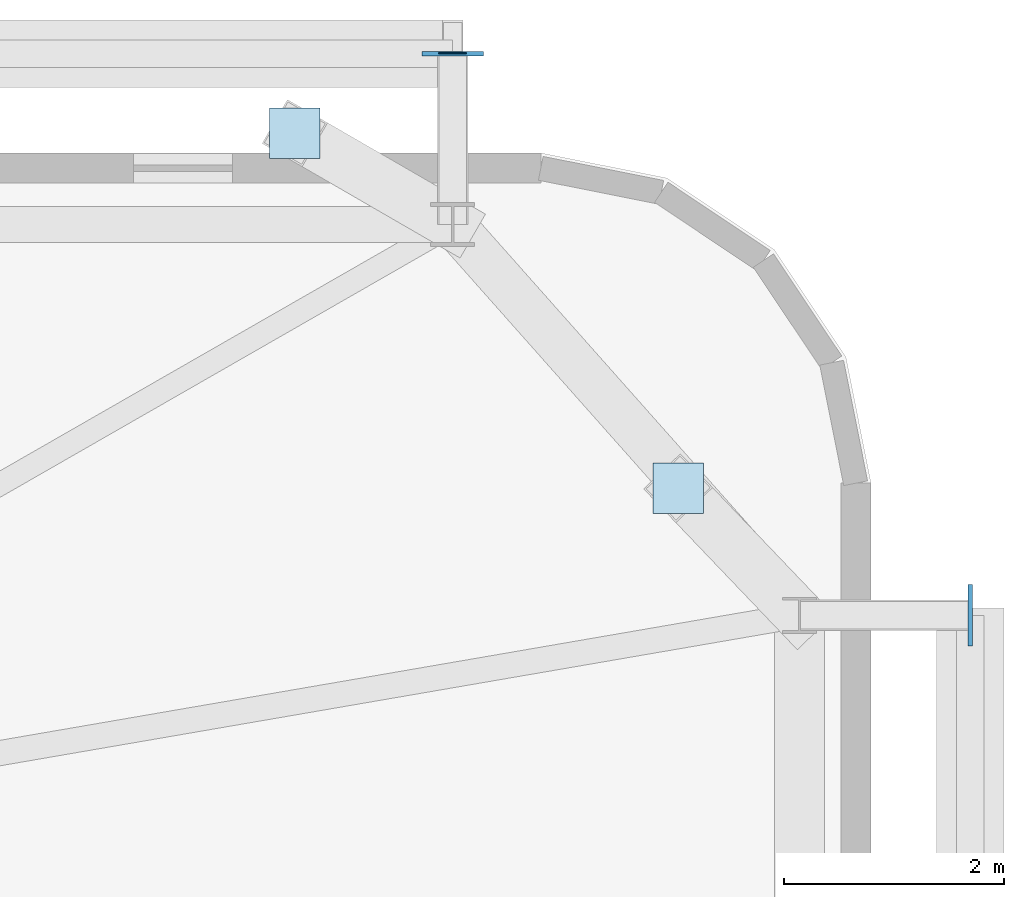
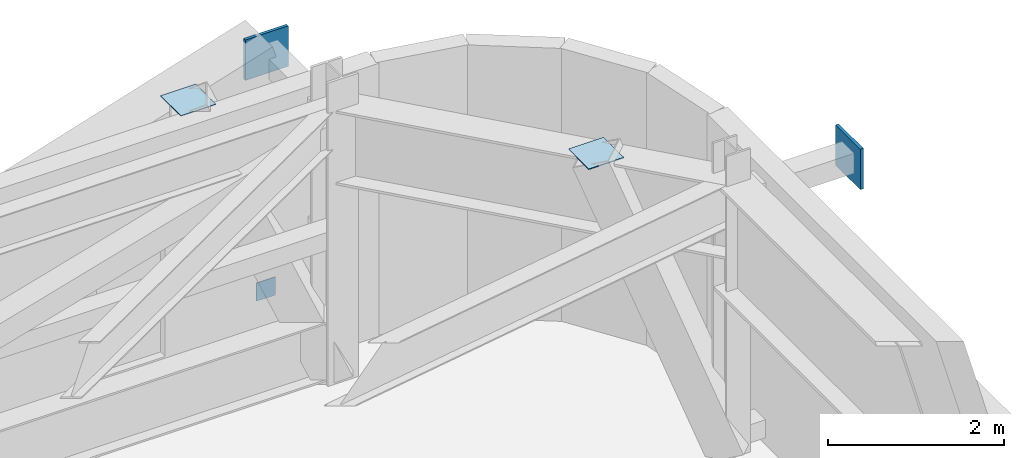
# One storey, part 20 of 24: 5 plates.
"""IFC4 building model written with IfcOpenShell, lengths in metres."""

import ifcopenshell
import ifcopenshell.guid

model = None  # the IFC model being written
_history = None  # IfcOwnerHistory: only IFC2X3 demands one
_inside = {}  # id of a spatial element -> (the spatial element, [elements in it])
_under = {}  # id of a project, library or spatial element -> (it, [spatial elements below it])
_declared = {}  # id of a project -> (the project, [libraries it declares])
_typed = {}  # id of a type object -> (the type object, [elements of that type])
_made_of = {}  # id of a material, layer set ... -> (it, [elements and type objects made of it])


def new_model(schema):
    """Start an empty IFC model of exactly this schema.

    Asked for "IFC4X3", IfcOpenShell would pick the latest addendum, in which some entities
    have other attributes; the version numbers below select the first issue.
    IFC2X3 requires an IfcOwnerHistory on every rooted entity: one is made here for all.
    """
    global model, _history
    if schema == "IFC4X3":
        model = ifcopenshell.file(schema_version=(4, 3, 0, 0))
    else:
        model = ifcopenshell.file(schema=schema)
    _inside.clear()
    _under.clear()
    _declared.clear()
    _typed.clear()
    _made_of.clear()
    _history = None
    if model.schema == "IFC2X3":
        org = make("IfcOrganization", Name="unknown")
        user = make(
            "IfcPersonAndOrganization",
            ThePerson=make("IfcPerson", FamilyName="unknown"),
            TheOrganization=org,
        )
        app = make(
            "IfcApplication",
            ApplicationDeveloper=org,
            Version="unknown",
            ApplicationFullName="unknown",
            ApplicationIdentifier="unknown",
        )
        _history = make(
            "IfcOwnerHistory",
            OwningUser=user,
            OwningApplication=app,
            ChangeAction="ADDED",
            CreationDate=0,
        )
    return model


def make(cls, **values):
    """One entity of the class cls with the attributes given. An attribute that is None is left unset."""
    return model.create_entity(
        cls, **{name: value for name, value in values.items() if value is not None}
    )


def rooted(cls, **values):
    """An entity with a GlobalId (a new one), such as an element, a storey or a relation."""
    return make(cls, GlobalId=ifcopenshell.guid.new(), OwnerHistory=_history, **values)


def si_unit(unit_type, name, prefix=None):
    """IfcSIUnit, for example si_unit("LENGTHUNIT", "METRE", prefix="MILLI")."""
    return make("IfcSIUnit", UnitType=unit_type, Prefix=prefix, Name=name)


def assignment(units):
    """IfcUnitAssignment: the units of a project."""
    return None if units is None else make("IfcUnitAssignment", Units=units)


def point(xyz):
    """IfcCartesianPoint."""
    return None if xyz is None else make("IfcCartesianPoint", Coordinates=xyz)


def direction(xyz):
    """IfcDirection."""
    return None if xyz is None else make("IfcDirection", DirectionRatios=xyz)


def frame(location, z_axis=None, x_axis=None):
    """IfcAxis2Placement3D, a coordinate frame: its origin and axes. An axis left out is left unset."""
    return make(
        "IfcAxis2Placement3D",
        Location=point(location),
        Axis=direction(z_axis),
        RefDirection=direction(x_axis),
    )


def frame_2d(location, x_axis=None):
    """IfcAxis2Placement2D, a coordinate frame in the plane: its origin and x axis."""
    return make(
        "IfcAxis2Placement2D", Location=point(location), RefDirection=direction(x_axis)
    )


def origin():
    """The frame at (0, 0, 0) with its axes left unset."""
    return frame((0.0, 0.0, 0.0))


def origin_2d():
    """The frame at (0, 0) in the plane with its x axis left unset."""
    return frame_2d((0.0, 0.0))


def place(relative_to, where):
    """IfcLocalPlacement: puts the frame where relative to a parent placement (None: the world)."""
    return make(
        "IfcLocalPlacement", PlacementRelTo=relative_to, RelativePlacement=where
    )


def context(
    kind, dimensions, precision=None, world=None, true_north=None, identifier=None
):
    """IfcGeometricRepresentationContext, for example the 3D "Model" context."""
    return make(
        "IfcGeometricRepresentationContext",
        ContextIdentifier=identifier,
        ContextType=kind,
        CoordinateSpaceDimension=dimensions,
        Precision=precision,
        WorldCoordinateSystem=world,
        TrueNorth=true_north,
    )


def subcontext(parent, identifier, kind, view, scale=None):
    """IfcGeometricRepresentationSubContext, for example "Body" below "Model"."""
    return make(
        "IfcGeometricRepresentationSubContext",
        ContextIdentifier=identifier,
        ContextType=kind,
        ParentContext=parent,
        TargetScale=scale,
        TargetView=view,
    )


def project(units=None, contexts=None):
    """IfcProject with its units and contexts."""
    return rooted(
        "IfcProject",
        Name="project",
        RepresentationContexts=contexts,
        UnitsInContext=assignment(units),
    )


def spatial(cls, under=None, at=None, **own):
    """A site, building, storey or space (cls), placed at a placement, below another one or the project."""
    s = rooted(cls, ObjectPlacement=at, **own)
    if under is not None:
        _under.setdefault(under.id(), (under, []))[1].append(s)
    return s


def profile(cls, at=None, kind="AREA", **sizes):
    """A parametric profile (cls). Its sizes go by their IFC names, for example OverallWidth=200.0."""
    return make(cls, ProfileType=kind, Position=at, **sizes)


def rectangle(**sizes):
    """IfcRectangleProfileDef."""
    return profile("IfcRectangleProfileDef", **sizes)


def extrude(swept, where, along, depth):
    """IfcExtrudedAreaSolid: the profile swept, set in the frame where, extruded along a direction by depth."""
    return make(
        "IfcExtrudedAreaSolid",
        SweptArea=swept,
        Position=where,
        ExtrudedDirection=direction(along),
        Depth=depth,
    )


def shape(context_of_items, identifier, shape_type, items):
    """IfcShapeRepresentation: the items that make up one representation, for example the "Body"."""
    return make(
        "IfcShapeRepresentation",
        ContextOfItems=context_of_items,
        RepresentationIdentifier=identifier,
        RepresentationType=shape_type,
        Items=items,
    )


def source(mapping_origin, context_of_items, identifier, shape_type, items):
    """IfcRepresentationMap: a shape defined once, which mapped items show again and again."""
    return make(
        "IfcRepresentationMap",
        MappingOrigin=mapping_origin,
        MappedRepresentation=shape(context_of_items, identifier, shape_type, items),
    )


def transform(
    local_origin,
    x_axis=None,
    y_axis=None,
    z_axis=None,
    scale=None,
    scale2=None,
    scale3=None,
    uniform=True,
):
    """IfcCartesianTransformationOperator3D, or its non-uniform kind. x_axis, y_axis, z_axis: its Axis1, 2, 3."""
    if uniform:
        return make(
            "IfcCartesianTransformationOperator3D",
            Axis1=direction(x_axis),
            Axis2=direction(y_axis),
            LocalOrigin=point(local_origin),
            Scale=scale,
            Axis3=direction(z_axis),
        )
    return make(
        "IfcCartesianTransformationOperator3DnonUniform",
        Axis1=direction(x_axis),
        Axis2=direction(y_axis),
        LocalOrigin=point(local_origin),
        Scale=scale,
        Axis3=direction(z_axis),
        Scale2=scale2,
        Scale3=scale3,
    )


def mapped(mapping_source, mapping_target):
    """IfcMappedItem: shows the shape of a source again, moved by a transform."""
    return make(
        "IfcMappedItem", MappingSource=mapping_source, MappingTarget=mapping_target
    )


def material(Name=None, Category=None):
    """IfcMaterial."""
    return make("IfcMaterial", Name=Name, Category=Category)


def layer(
    of_material, thickness, ventilated=None, Name=None, Category=None, Priority=None
):
    """IfcMaterialLayer: one layer of a wall or slab, of a material (None: an air gap)."""
    return make(
        "IfcMaterialLayer",
        Material=of_material,
        LayerThickness=thickness,
        IsVentilated=ventilated,
        Name=Name,
        Category=Category,
        Priority=Priority,
    )


def layer_set(layers, Name=None):
    """IfcMaterialLayerSet."""
    return make("IfcMaterialLayerSet", MaterialLayers=layers, LayerSetName=Name)


def made_of(thing, what):
    """Note that an element or type object is made of a material, layer set ...; save() writes the relation."""
    if what is not None:
        _made_of.setdefault(what.id(), (what, []))[1].append(thing)
    return thing


def type_object(cls, material=None, **own):
    """A type object (cls), such as IfcWallType, which elements share."""
    return made_of(rooted(cls, **own), material)


def element(
    cls,
    number,
    at=None,
    inside=None,
    cuts=None,
    type_object=None,
    material=None,
    context=None,
    identifier="Body",
    shape_type=None,
    held_by="IfcProductDefinitionShape",
    body=None,
    shapes=None,
    **own,
):
    """One element of the class cls, such as IfcWall. Its Tag is "e" and its number.

    at: its placement. inside: the storey or other place that contains it. cuts: it is an
    opening in that element (IfcRelVoidsElement). A single representation is given by context,
    identifier, shape_type and body (its items); several are given by shapes. held_by: the class
    of the entity that holds the representations. save() writes the other relations.
    """
    e = rooted(cls, Tag="e%d" % number, ObjectPlacement=at, **own)
    if body is not None:
        shapes = [shape(context, identifier, shape_type, body)]
    if shapes is not None:
        e.Representation = make(held_by, Representations=shapes)
    if inside is not None:
        _inside.setdefault(inside.id(), (inside, []))[1].append(e)
    if cuts is not None:
        rooted(
            "IfcRelVoidsElement", RelatingBuildingElement=cuts, RelatedOpeningElement=e
        )
    if type_object is not None:
        _typed.setdefault(type_object.id(), (type_object, []))[1].append(e)
    return made_of(e, material)


def aggregate(whole, parts):
    """IfcRelAggregates: a whole, such as a stair, and the parts it consists of."""
    return rooted("IfcRelAggregates", RelatingObject=whole, RelatedObjects=parts)


def save(model, path):
    """Write the relations noted so far, then the file.

    IfcRelAggregates (storeys below a building ...), IfcRelContainedInSpatialStructure (elements
    in a storey), IfcRelDefinesByType, IfcRelAssociatesMaterial and IfcRelDeclares: one each for
    every whole, place, type object, material and project.
    """
    for whole, parts in _under.values():
        aggregate(whole, parts)
    for where, things in _inside.values():
        rooted(
            "IfcRelContainedInSpatialStructure",
            RelatedElements=things,
            RelatingStructure=where,
        )
    for kind, things in _typed.values():
        rooted("IfcRelDefinesByType", RelatedObjects=things, RelatingType=kind)
    for what, things in _made_of.values():
        rooted("IfcRelAssociatesMaterial", RelatedObjects=things, RelatingMaterial=what)
    for by, libraries in _declared.values():
        rooted("IfcRelDeclares", RelatingContext=by, RelatedDefinitions=libraries)
    model.write(path)


model = new_model("IFC4")

# Units and contexts
model_context = context("Model", 3, precision=1e-05, world=origin(), true_north=direction((0.0, 1.0)))
body_context = subcontext(model_context, "Body", "Model", "MODEL_VIEW")
ifc_project = project(units=[si_unit("LENGTHUNIT", "METRE"), si_unit("AREAUNIT", "SQUARE_METRE"), si_unit("VOLUMEUNIT", "CUBIC_METRE"), si_unit("PLANEANGLEUNIT", "RADIAN"), si_unit("MASSUNIT", "GRAM", prefix="KILO")], contexts=[model_context])

# Site, building, storey
site_placement = place(None, origin())
site = spatial("IfcSite", under=ifc_project, at=site_placement, CompositionType="ELEMENT")
building_placement = place(site_placement, origin())
building = spatial("IfcBuilding", under=site, at=building_placement, Name="Taldren Reach Tower", CompositionType="ELEMENT")
storey_placement = place(building_placement, frame((0.0, 0.0, 60.89990234375)))
storey = spatial("IfcBuildingStorey", under=building, at=storey_placement, Name="L18", CompositionType="ELEMENT", Elevation=60.89990234375)

# Plates
ifc_material_1 = material(Name="Steel Gr 450 (C450L0)", Category="steel")
ifc_layer_1 = layer(ifc_material_1, 0.0400390625)
ifc_layer_set_1 = layer_set([ifc_layer_1], Name="Steel Gr 450 (C450L0)")
plate_type_1 = type_object("IfcPlateType", Name="PL-GUSSET-40", PredefinedType="SHEET", material=ifc_layer_set_1)
shared_shape_1 = source(origin(), body_context, "Body", "SweptSolid", [
    extrude(rectangle(XDim=0.56005859375, YDim=0.0400390625, at=origin_2d()), origin(), (0.0, 0.0, 1.0), 0.56005859375),
])
for number, where, z_axis, x_axis, name in (
    (1, (61.199951171875, 39.39990234375, 3.219970703125), (0.0, 0.0, 1.0), (1.0, 0.0, 0.0), "Exoskeleton star-node gusset plate B1-N6 L18"),
    (2, (65.89990234375, 34.300048828125, 3.219970703125), (0.0, 0.0, 1.0), (0.0, 1.0, 0.0), "Exoskeleton star-node gusset plate B1-E3 L18"),
):
    element("IfcPlate", number, at=place(storey_placement, frame(where, z_axis=z_axis, x_axis=x_axis)), inside=storey, type_object=plate_type_1, Name=name, PredefinedType="SHEET", context=body_context, shape_type="MappedRepresentation", body=[
        mapped(shared_shape_1, transform((0.0, 0.0, 0.0), scale=1.0)),
    ])
ifc_material_2 = material(Name="Steel Gr 350 (C350L0)", Category="steel")
ifc_layer_2 = layer(ifc_material_2, 0.011962890625)
ifc_layer_set_2 = layer_set([ifc_layer_2], Name="Steel Gr 350 (C350L0)")
plate_type_2 = type_object("IfcPlateType", Name="PL-CAP-250", PredefinedType="SHEET", material=ifc_layer_set_2)
shared_shape_2 = source(origin(), body_context, "Body", "SweptSolid", [
    extrude(rectangle(XDim=0.25, YDim=0.011962890625, at=origin_2d()), origin(), (0.0, 0.0, 1.0), 0.25),
])
plate_placement = place(storey_placement, frame((61.199951171875, 39.406005859375, 0.09521484375), z_axis=(0.0, 0.0, 1.0), x_axis=(1.0, 0.0, 0.0)))
element("IfcPlate", 3, at=plate_placement, inside=storey, type_object=plate_type_2, Name="Tie strut end cap plate B1-N6 L18", PredefinedType="SHEET", context=body_context, shape_type="MappedRepresentation", body=[
    mapped(shared_shape_2, transform((0.0, 0.0, 0.0), scale=1.0)),
])
ifc_layer_3 = layer(ifc_material_1, 0.011962890625)
ifc_layer_set_3 = layer_set([ifc_layer_3], Name="Steel Gr 450 (C450L0)")
plate_type_3 = type_object("IfcPlateType", Name="PL-CAP-460", PredefinedType="SHEET", material=ifc_layer_set_3)
shared_shape_3 = source(origin(), body_context, "Body", "SweptSolid", [
    extrude(rectangle(XDim=0.4599609375, YDim=0.4599609375, at=origin_2d()), origin(), (0.0, 0.0, 1.0), 0.011962890625),
])
for number, where, z_axis, x_axis, name in (
    (4, (59.765869140625, 38.679931640625, 3.76806640625), (0.0, 0.0, 1.0), (1.0, 0.0, 0.0), "Transfer strut end cap plate TS-B2-N6 L18"),
    (5, (63.247314453125, 35.454345703125, 3.76806640625), (0.0, 0.0, 1.0), (1.0, 0.0, 0.0), "Transfer strut end cap plate TS-B2-E3 L18"),
):
    element("IfcPlate", number, at=place(storey_placement, frame(where, z_axis=z_axis, x_axis=x_axis)), inside=storey, type_object=plate_type_3, Name=name, PredefinedType="SHEET", context=body_context, shape_type="MappedRepresentation", body=[
        mapped(shared_shape_3, transform((0.0, 0.0, 0.0), scale=1.0)),
    ])

save(model, "model.ifc")
